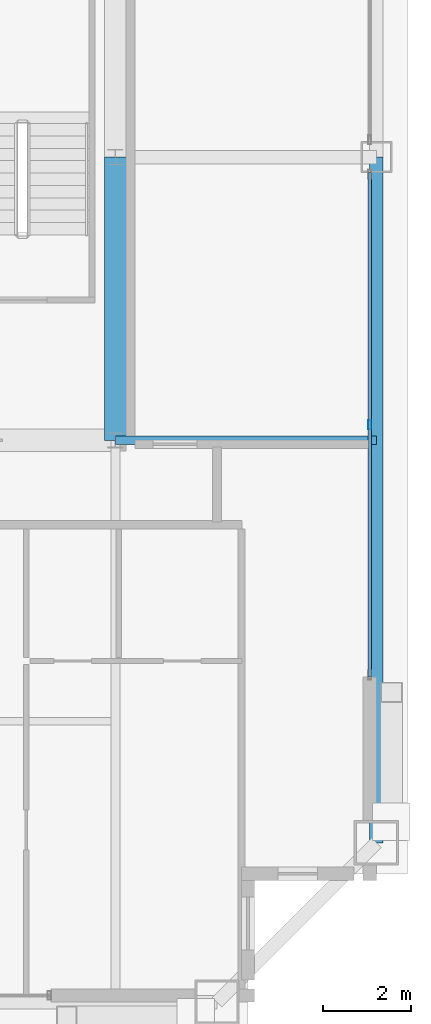
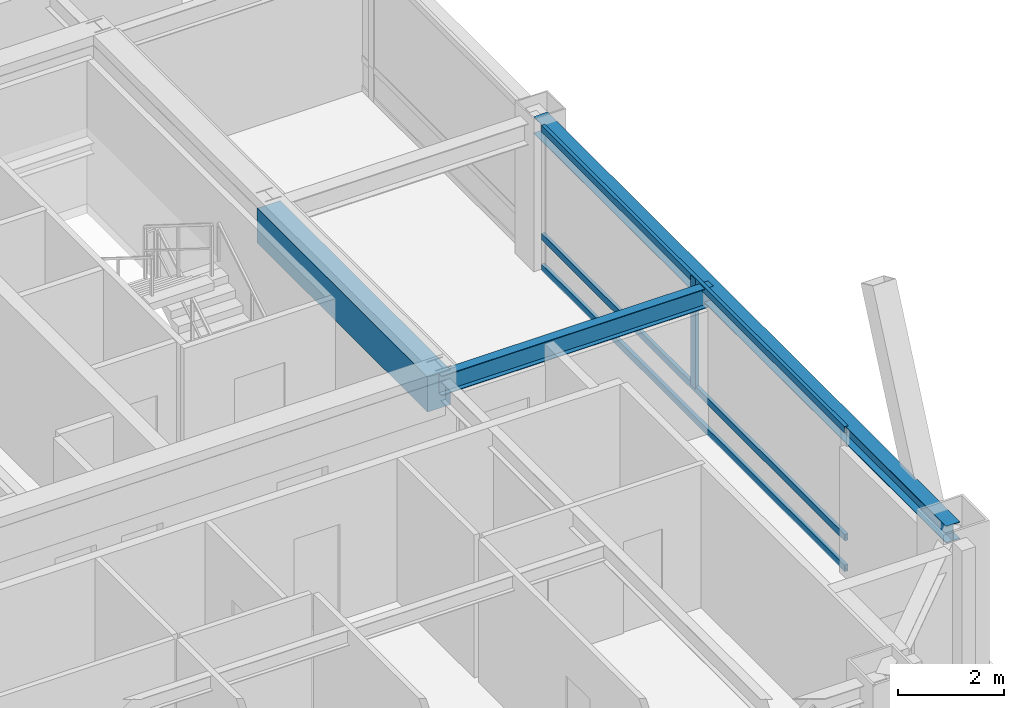
# One storey, part 12 of 33: 4 members, 3 beams, 1 element without a shape of its own.
"""IFC4 building model written with IfcOpenShell, lengths in metres."""

from ifc_helpers import new_model, si_unit, direction, frame, origin, origin_2d, place, context, subcontext, project, spatial, rectangle, hollow_rectangle, i_section, extrude, source, transform, mapped, material, layer, layer_set, material_profile, profile_set, type_object, element, aggregate, save


model = new_model("IFC4")

# Units and contexts
model_context = context("Model", 3, precision=1e-05, world=origin(), true_north=direction((0.0, 1.0)))
body_context = subcontext(model_context, "Body", "Model", "MODEL_VIEW")
ifc_project = project(units=[si_unit("LENGTHUNIT", "METRE"), si_unit("AREAUNIT", "SQUARE_METRE"), si_unit("VOLUMEUNIT", "CUBIC_METRE"), si_unit("PLANEANGLEUNIT", "RADIAN"), si_unit("MASSUNIT", "GRAM", prefix="KILO"), si_unit("THERMODYNAMICTEMPERATUREUNIT", "KELVIN"), si_unit("POWERUNIT", "WATT")], contexts=[model_context])

# Site, building, storey
site_placement = place(None, origin())
site = spatial("IfcSite", under=ifc_project, at=site_placement, CompositionType="ELEMENT")
building_placement = place(site_placement, origin())
building = spatial("IfcBuilding", under=site, at=building_placement, Name="Yuzanri Waterfront Tower", CompositionType="ELEMENT")
storey_placement = place(building_placement, frame((0.0, 0.0, 321.699951171875)))
storey = spatial("IfcBuildingStorey", under=building, at=storey_placement, Name="L86", CompositionType="ELEMENT", Elevation=321.699951171875)

# Beams
ifc_material_1 = material(Name="Concrete C50", Category="concrete")
ifc_material_profile_1 = material_profile(ifc_material_1, rectangle(XDim=0.5, YDim=0.800048828125, at=origin_2d()), Name="RC 500x800")
ifc_profile_set_1 = profile_set([ifc_material_profile_1], Name="Concrete C50")
beam_type_1 = type_object("IfcBeamType", Name="Core Coupling Lintel Concrete C50 500x800", PredefinedType="LINTEL", material=ifc_profile_set_1)
shared_shape_1 = source(origin(), body_context, "Body", "SweptSolid", [
    extrude(rectangle(XDim=0.5, YDim=0.800048828125, at=origin_2d()), origin(), (0.0, 0.0, 1.0), 6.400146484375),
])
beam_1_placement = place(storey_placement, frame((50.199951171875, 19.39990234375, 2.880126953125), z_axis=(0.0, 1.0, 0.0), x_axis=(-1.0, 0.0, 0.0)))
element("IfcBeam", 1, at=beam_1_placement, inside=storey, type_object=beam_type_1, Name="L86 Core Tie Beam CE1", PredefinedType="LINTEL", context=body_context, shape_type="MappedRepresentation", body=[
    mapped(shared_shape_1, transform((0.0, 0.0, 0.0), scale=1.0)),
])
ifc_material_2 = material(Name="Steel Q355B", Category="steel")
ifc_material_profile_2 = material_profile(ifc_material_2, i_section(OverallWidth=0.300048828125, OverallDepth=0.389892578125, WebThickness=0.010009765625, FlangeThickness=0.01611328125, at=origin_2d()), Name="HM 390x300x10x16")
ifc_profile_set_2 = profile_set([ifc_material_profile_2], Name="Steel Q355B")
beam_type_2 = type_object("IfcBeamType", Name="Perimeter Spandrel Q355B HM 390x300", PredefinedType="SPANDREL", material=ifc_profile_set_2)
shared_shape_2 = source(origin(), body_context, "Body", "SweptSolid", [
    extrude(i_section(OverallWidth=0.300048828125, OverallDepth=0.389892578125, WebThickness=0.010009765625, FlangeThickness=0.01611328125, at=origin_2d()), origin(), (0.0, 0.0, 1.0), 15.5),
])
beam_2_placement = place(storey_placement, frame((56.10009765625, 10.300048828125, 3.0849609375), z_axis=(0.0, 1.0, 0.0), x_axis=(-1.0, 0.0, 0.0)))
element("IfcBeam", 2, at=beam_2_placement, inside=storey, type_object=beam_type_2, Name="L86 Perimeter Spandrel E1-E2", PredefinedType="SPANDREL", context=body_context, shape_type="MappedRepresentation", body=[
    mapped(shared_shape_2, transform((0.0, 0.0, 0.0), scale=1.0)),
])
ifc_material_3 = material(Name="Steel Q355B", Category="steel")
ifc_material_profile_3 = material_profile(ifc_material_3, i_section(OverallWidth=0.199951171875, OverallDepth=0.449951171875, WebThickness=0.009033203125, FlangeThickness=0.013916015625, at=origin_2d()), Name="HN 450x200x9x14")
ifc_profile_set_3 = profile_set([ifc_material_profile_3], Name="Steel Q355B")
beam_type_3 = type_object("IfcBeamType", Name="Secondary Floor Beam Q355B HN 450x200", PredefinedType="BEAM", material=ifc_profile_set_3)
shared_shape_3 = source(origin(), body_context, "Body", "SweptSolid", [
    extrude(i_section(OverallWidth=0.199951171875, OverallDepth=0.449951171875, WebThickness=0.009033203125, FlangeThickness=0.013916015625, at=origin_2d()), origin(), (0.0, 0.0, 1.0), 5.900146484375),
])
beam_3_placement = place(storey_placement, frame((50.199951171875, 19.39990234375, 3.054931640625), z_axis=(1.0, 0.0, 0.0), x_axis=(0.0, 1.0, 0.0)))
element("IfcBeam", 3, at=beam_3_placement, inside=storey, type_object=beam_type_3, Name="L86 East-South Core Line Beam", PredefinedType="BEAM", context=body_context, shape_type="MappedRepresentation", body=[
    mapped(shared_shape_3, transform((0.0, 0.0, 0.0), scale=1.0)),
])

# Curtain wall, members
ifc_material_4 = material(Name="Anodized Architectural Bronze", Category="metal")
ifc_layer = layer(ifc_material_4, 0.159912109375)
ifc_layer_set = layer_set([ifc_layer], Name="Anodized Architectural Bronze")
curtain_wall_type = type_object("IfcCurtainWallType", Name="Anodized Bronze High-Rise Penthouse High-Wind Unitized Curtain Wall 6900", PredefinedType="NOTDEFINED", material=ifc_layer_set)
curtain_wall_placement = place(storey_placement, origin())
curtain_wall = element("IfcCurtainWall", 4, at=curtain_wall_placement, inside=storey, type_object=curtain_wall_type, Name="L86 Curtain Wall CW-L86-EL", PredefinedType="NOTDEFINED")
ifc_material_5 = material(Name="Anodized Architectural Bronze", Category="metal")
ifc_material_profile_4 = material_profile(ifc_material_5, hollow_rectangle(XDim=0.074951171875, YDim=0.199951171875, WallThickness=0.00390625, at=origin_2d()), Name="CWM 75x200")
ifc_profile_set_4 = profile_set([ifc_material_profile_4], Name="Anodized Architectural Bronze")
member_type_1 = type_object("IfcMemberType", Name="Anodized Bronze Primary Curtain-Wall Mullion 75x200", PredefinedType="MULLION", material=ifc_profile_set_4)
shared_shape_4 = source(origin(), body_context, "Body", "SweptSolid", [
    extrude(hollow_rectangle(XDim=0.074951171875, YDim=0.199951171875, WallThickness=0.00390625, at=origin_2d()), origin(), (0.0, 0.0, 1.0), 2.52392578125),
])
member_1_placement = place(storey_placement, frame((55.949951171875, 19.75, 0.756103515625), z_axis=(0.0, 0.0, 1.0), x_axis=(1.0, 0.0, 0.0)))
member_1 = element("IfcMember", 5, at=member_1_placement, type_object=member_type_1, Name="CW-L86-EL Upper Mullion 01", PredefinedType="MULLION", context=body_context, shape_type="MappedRepresentation", body=[
    mapped(shared_shape_4, transform((0.0, 0.0, 0.0), scale=1.0)),
])
ifc_material_6 = material(Name="Anodized Architectural Bronze", Category="metal")
ifc_material_profile_5 = material_profile(ifc_material_6, hollow_rectangle(XDim=0.074951171875, YDim=0.14990234375, WallThickness=0.00390625, at=origin_2d()), Name="CWT 75x150")
ifc_profile_set_5 = profile_set([ifc_material_profile_5], Name="Anodized Architectural Bronze")
member_type_2 = type_object("IfcMemberType", Name="Anodized Bronze Primary Curtain-Wall Transom 75x150", PredefinedType="USERDEFINED", material=ifc_profile_set_5)
shared_shape_5 = source(origin(), body_context, "Body", "SweptSolid", [
    extrude(hollow_rectangle(XDim=0.074951171875, YDim=0.14990234375, WallThickness=0.00390625, at=origin_2d()), origin(), (0.0, 0.0, 1.0), 11.39990234375),
])
member_2_placement = place(storey_placement, frame((55.949951171875, 14.050048828125, 0.050048828125), z_axis=(0.0, 1.0, 0.0), x_axis=(-1.0, 0.0, 0.0)))
member_2 = element("IfcMember", 6, at=member_2_placement, type_object=member_type_2, Name="CW-L86-EL Transom 1", ObjectType="TRANSOM", PredefinedType="USERDEFINED", context=body_context, shape_type="MappedRepresentation", body=[
    mapped(shared_shape_5, transform((0.0, 0.0, 0.0), scale=1.0)),
])
member_3_placement = place(storey_placement, frame((55.949951171875, 14.050048828125, 0.754150390625), z_axis=(0.0, 1.0, 0.0), x_axis=(-1.0, 0.0, 0.0)))
member_3 = element("IfcMember", 7, at=member_3_placement, type_object=member_type_2, Name="CW-L86-EL Transom 2", ObjectType="TRANSOM", PredefinedType="USERDEFINED", context=body_context, shape_type="MappedRepresentation", body=[
    mapped(shared_shape_5, transform((0.0, 0.0, 0.0), scale=1.0)),
])
member_4_placement = place(storey_placement, frame((55.949951171875, 14.050048828125, 3.22998046875), z_axis=(0.0, 1.0, 0.0), x_axis=(-1.0, 0.0, 0.0)))
member_4 = element("IfcMember", 8, at=member_4_placement, type_object=member_type_2, Name="CW-L86-EL Transom 3", ObjectType="TRANSOM", PredefinedType="USERDEFINED", context=body_context, shape_type="MappedRepresentation", body=[
    mapped(shared_shape_5, transform((0.0, 0.0, 0.0), scale=1.0)),
])
aggregate(curtain_wall, [member_1, member_2, member_3, member_4])

save(model, "model.ifc")
